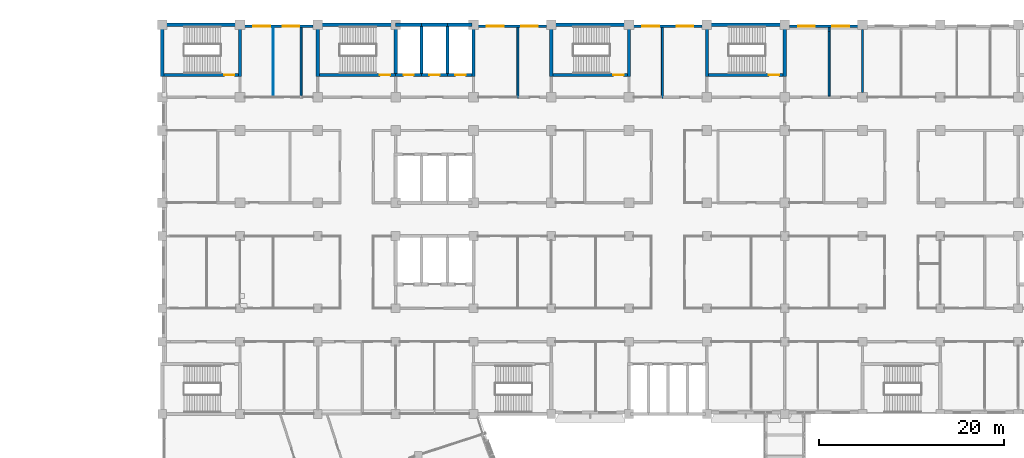
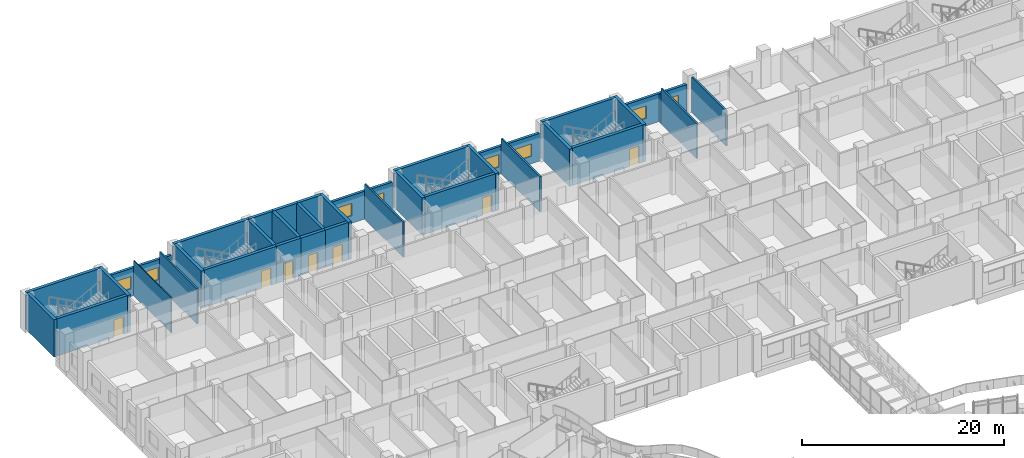
# One storey, part 90 of 136: 36 walls, 8 windows, 7 doors, 15 openings.
"""IFC4 building model written with IfcOpenShell, lengths in metres."""

from ifc_helpers import new_model, si_unit, direction, frame, frame_2d, origin, place, context, subcontext, project, spatial, rectangle, extrude, material, layer, layer_set, type_object, element, fill, save


model = new_model("IFC4")

# Units and contexts
model_context = context("Model", 3, precision=1e-05, world=origin(), true_north=direction((0.0, 1.0)))
body_context = subcontext(model_context, "Body", "Model", "MODEL_VIEW")
ifc_project = project(units=[si_unit("LENGTHUNIT", "METRE"), si_unit("AREAUNIT", "SQUARE_METRE"), si_unit("VOLUMEUNIT", "CUBIC_METRE"), si_unit("PLANEANGLEUNIT", "RADIAN"), si_unit("MASSUNIT", "GRAM", prefix="KILO")], contexts=[model_context])

# Site, building, storey
site_placement = place(None, origin())
site = spatial("IfcSite", under=ifc_project, at=site_placement, CompositionType="ELEMENT")
building_placement = place(site_placement, origin())
building = spatial("IfcBuilding", under=site, at=building_placement, Name="Bougainvillea Quay General Hospital", CompositionType="ELEMENT")
storey_placement = place(building_placement, frame((0.0, 0.0, 5.39990234375)))
storey = spatial("IfcBuildingStorey", under=building, at=storey_placement, Name="L01", CompositionType="ELEMENT", Elevation=5.39990234375)

# Wall, openings, windows
ifc_material_1 = material(Name="Pale stone rainscreen cladding on insulated masonry backing, pale stone", Category="masonry")
ifc_layer_1 = layer(ifc_material_1, 0.300048828125)
ifc_layer_set_1 = layer_set([ifc_layer_1], Name="Pale stone rainscreen cladding on insulated masonry backing, pale stone")
wall_type_1 = type_object("IfcWallType", Name="External wall pale stone rainscreen 300", PredefinedType="STANDARD", material=ifc_layer_set_1)
wall_1_placement = place(storey_placement, frame((117.10009765625, 159.449951171875, 0.0), z_axis=(0.0, 0.0, 1.0), x_axis=(-1.0, 0.0, 0.0)))
wall_1 = element("IfcWall", 1, at=wall_1_placement, inside=storey, type_object=wall_type_1, Name="External wall wall/V4/L01/p0/05c", PredefinedType="STANDARD", context=body_context, shape_type="SweptSolid", body=[
    extrude(rectangle(XDim=7.400146484375, YDim=0.300048828125, at=frame_2d((3.7001953125, 0.0))), origin(), (0.0, 0.0, 1.0), 3.35009765625),
])
opening_1_placement = place(wall_1_placement, frame((0.949951171875, 0.0, 0.89990234375)))
opening_1 = element("IfcOpeningElement", 2, at=opening_1_placement, cuts=wall_1, Name="Opening W1", PredefinedType="OPENING", context=body_context, shape_type="SweptSolid", body=[
    extrude(rectangle(XDim=1.800048828125, YDim=1.5, at=frame_2d((0.89990234375, 0.75))), frame((0.0, 0.159912109375, 0.0), z_axis=(0.0, -1.0, 0.0), x_axis=(1.0, 0.0, 0.0)), (0.0, 0.0, 1.0), 0.320068359375),
])
opening_2_placement = place(wall_1_placement, frame((4.64990234375, 0.0, 0.89990234375)))
opening_2 = element("IfcOpeningElement", 3, at=opening_2_placement, cuts=wall_1, Name="Opening W1", PredefinedType="OPENING", context=body_context, shape_type="SweptSolid", body=[
    extrude(rectangle(XDim=1.800048828125, YDim=1.5, at=frame_2d((0.89990234375, 0.75))), frame((0.0, 0.159912109375, 0.0), z_axis=(0.0, -1.0, 0.0), x_axis=(1.0, 0.0, 0.0)), (0.0, 0.0, 1.0), 0.320068359375),
])
ifc_material_2 = material(Name="Aluminium window frame with low-e double glazed unit", Category="aluminium")
window_type = type_object("IfcWindowType", Name="Window W1 1800x1500", PartitioningType="DOUBLE_PANEL_VERTICAL", PredefinedType="WINDOW", material=ifc_material_2)
window_1_placement = place(opening_1_placement, origin())
window_1 = element("IfcWindow", 4, at=window_1_placement, inside=storey, type_object=window_type, Name="Window W1 1", OverallHeight=1.5, OverallWidth=1.800048828125, PartitioningType="SINGLE_PANEL", PredefinedType="WINDOW", context=body_context, shape_type="SweptSolid", body=[
    extrude(rectangle(XDim=1.800048828125, YDim=1.5, at=frame_2d((0.89990234375, 0.75))), frame((0.0, 0.030029296875, 0.0), z_axis=(0.0, -1.0, 0.0), x_axis=(1.0, 0.0, 0.0)), (0.0, 0.0, 1.0), 0.06005859375),
])
fill(opening_1, window_1)
window_2_placement = place(opening_2_placement, origin())
window_2 = element("IfcWindow", 5, at=window_2_placement, inside=storey, type_object=window_type, Name="Window W1 2", OverallHeight=1.5, OverallWidth=1.800048828125, PartitioningType="SINGLE_PANEL", PredefinedType="WINDOW", context=body_context, shape_type="SweptSolid", body=[
    extrude(rectangle(XDim=1.800048828125, YDim=1.5, at=frame_2d((0.89990234375, 0.75))), frame((0.0, 0.030029296875, 0.0), z_axis=(0.0, -1.0, 0.0), x_axis=(1.0, 0.0, 0.0)), (0.0, 0.0, 1.0), 0.06005859375),
])
fill(opening_2, window_2)

wall_2_placement = place(storey_placement, frame((100.300048828125, 159.449951171875, 0.0), z_axis=(0.0, 0.0, 1.0), x_axis=(-1.0, 0.0, 0.0)))
wall_2 = element("IfcWall", 6, at=wall_2_placement, inside=storey, type_object=wall_type_1, Name="External wall wall/V4/L01/p0/05d", PredefinedType="STANDARD", context=body_context, shape_type="SweptSolid", body=[
    extrude(rectangle(XDim=7.400146484375, YDim=0.300048828125, at=frame_2d((3.7001953125, 0.0))), origin(), (0.0, 0.0, 1.0), 3.35009765625),
])
opening_3_placement = place(wall_2_placement, frame((0.949951171875, 0.0, 0.89990234375)))
opening_3 = element("IfcOpeningElement", 7, at=opening_3_placement, cuts=wall_2, Name="Opening W1", PredefinedType="OPENING", context=body_context, shape_type="SweptSolid", body=[
    extrude(rectangle(XDim=1.800048828125, YDim=1.5, at=frame_2d((0.89990234375, 0.75))), frame((0.0, 0.159912109375, 0.0), z_axis=(0.0, -1.0, 0.0), x_axis=(1.0, 0.0, 0.0)), (0.0, 0.0, 1.0), 0.320068359375),
])
opening_4_placement = place(wall_2_placement, frame((4.64990234375, 0.0, 0.89990234375)))
opening_4 = element("IfcOpeningElement", 8, at=opening_4_placement, cuts=wall_2, Name="Opening W1", PredefinedType="OPENING", context=body_context, shape_type="SweptSolid", body=[
    extrude(rectangle(XDim=1.800048828125, YDim=1.5, at=frame_2d((0.89990234375, 0.75))), frame((0.0, 0.159912109375, 0.0), z_axis=(0.0, -1.0, 0.0), x_axis=(1.0, 0.0, 0.0)), (0.0, 0.0, 1.0), 0.320068359375),
])
window_3_placement = place(opening_3_placement, origin())
window_3 = element("IfcWindow", 9, at=window_3_placement, inside=storey, type_object=window_type, Name="Window W1 1", OverallHeight=1.5, OverallWidth=1.800048828125, PartitioningType="SINGLE_PANEL", PredefinedType="WINDOW", context=body_context, shape_type="SweptSolid", body=[
    extrude(rectangle(XDim=1.800048828125, YDim=1.5, at=frame_2d((0.89990234375, 0.75))), frame((0.0, 0.030029296875, 0.0), z_axis=(0.0, -1.0, 0.0), x_axis=(1.0, 0.0, 0.0)), (0.0, 0.0, 1.0), 0.06005859375),
])
fill(opening_3, window_3)
window_4_placement = place(opening_4_placement, origin())
window_4 = element("IfcWindow", 10, at=window_4_placement, inside=storey, type_object=window_type, Name="Window W1 2", OverallHeight=1.5, OverallWidth=1.800048828125, PartitioningType="SINGLE_PANEL", PredefinedType="WINDOW", context=body_context, shape_type="SweptSolid", body=[
    extrude(rectangle(XDim=1.800048828125, YDim=1.5, at=frame_2d((0.89990234375, 0.75))), frame((0.0, 0.030029296875, 0.0), z_axis=(0.0, -1.0, 0.0), x_axis=(1.0, 0.0, 0.0)), (0.0, 0.0, 1.0), 0.06005859375),
])
fill(opening_4, window_4)

wall_3_placement = place(storey_placement, frame((83.5, 159.449951171875, 0.0), z_axis=(0.0, 0.0, 1.0), x_axis=(-1.0, 0.0, 0.0)))
wall_3 = element("IfcWall", 11, at=wall_3_placement, inside=storey, type_object=wall_type_1, Name="External wall wall/V4/L01/p0/05e", PredefinedType="STANDARD", context=body_context, shape_type="SweptSolid", body=[
    extrude(rectangle(XDim=7.39990234375, YDim=0.300048828125, at=frame_2d((3.699951171875, 0.0))), origin(), (0.0, 0.0, 1.0), 3.35009765625),
])
opening_5_placement = place(wall_3_placement, frame((0.949951171875, 0.0, 0.89990234375)))
opening_5 = element("IfcOpeningElement", 12, at=opening_5_placement, cuts=wall_3, Name="Opening W1", PredefinedType="OPENING", context=body_context, shape_type="SweptSolid", body=[
    extrude(rectangle(XDim=1.800048828125, YDim=1.5, at=frame_2d((0.89990234375, 0.75))), frame((0.0, 0.159912109375, 0.0), z_axis=(0.0, -1.0, 0.0), x_axis=(1.0, 0.0, 0.0)), (0.0, 0.0, 1.0), 0.320068359375),
])
opening_6_placement = place(wall_3_placement, frame((4.64990234375, 0.0, 0.89990234375)))
opening_6 = element("IfcOpeningElement", 13, at=opening_6_placement, cuts=wall_3, Name="Opening W1", PredefinedType="OPENING", context=body_context, shape_type="SweptSolid", body=[
    extrude(rectangle(XDim=1.800048828125, YDim=1.5, at=frame_2d((0.89990234375, 0.75))), frame((0.0, 0.159912109375, 0.0), z_axis=(0.0, -1.0, 0.0), x_axis=(1.0, 0.0, 0.0)), (0.0, 0.0, 1.0), 0.320068359375),
])
window_5_placement = place(opening_5_placement, origin())
window_5 = element("IfcWindow", 14, at=window_5_placement, inside=storey, type_object=window_type, Name="Window W1 1", OverallHeight=1.5, OverallWidth=1.800048828125, PartitioningType="SINGLE_PANEL", PredefinedType="WINDOW", context=body_context, shape_type="SweptSolid", body=[
    extrude(rectangle(XDim=1.800048828125, YDim=1.5, at=frame_2d((0.89990234375, 0.75))), frame((0.0, 0.030029296875, 0.0), z_axis=(0.0, -1.0, 0.0), x_axis=(1.0, 0.0, 0.0)), (0.0, 0.0, 1.0), 0.06005859375),
])
fill(opening_5, window_5)
window_6_placement = place(opening_6_placement, origin())
window_6 = element("IfcWindow", 15, at=window_6_placement, inside=storey, type_object=window_type, Name="Window W1 2", OverallHeight=1.5, OverallWidth=1.800048828125, PartitioningType="SINGLE_PANEL", PredefinedType="WINDOW", context=body_context, shape_type="SweptSolid", body=[
    extrude(rectangle(XDim=1.800048828125, YDim=1.5, at=frame_2d((0.89990234375, 0.75))), frame((0.0, 0.030029296875, 0.0), z_axis=(0.0, -1.0, 0.0), x_axis=(1.0, 0.0, 0.0)), (0.0, 0.0, 1.0), 0.06005859375),
])
fill(opening_6, window_6)

wall_4_placement = place(storey_placement, frame((58.300048828125, 159.449951171875, 0.0), z_axis=(0.0, 0.0, 1.0), x_axis=(-1.0, 0.0, 0.0)))
wall_4 = element("IfcWall", 16, at=wall_4_placement, inside=storey, type_object=wall_type_1, Name="External wall wall/V4/L01/p0/09a", PredefinedType="STANDARD", context=body_context, shape_type="SweptSolid", body=[
    extrude(rectangle(XDim=7.400146484375, YDim=0.300048828125, at=frame_2d((3.7001953125, 0.0))), origin(), (0.0, 0.0, 1.0), 3.35009765625),
])
opening_7_placement = place(wall_4_placement, frame((1.5, 0.0, 0.89990234375)))
opening_7 = element("IfcOpeningElement", 17, at=opening_7_placement, cuts=wall_4, Name="Opening W1", PredefinedType="OPENING", context=body_context, shape_type="SweptSolid", body=[
    extrude(rectangle(XDim=1.800048828125, YDim=1.5, at=frame_2d((0.89990234375, 0.75))), frame((0.0, 0.159912109375, 0.0), z_axis=(0.0, -1.0, 0.0), x_axis=(1.0, 0.0, 0.0)), (0.0, 0.0, 1.0), 0.320068359375),
])
opening_8_placement = place(wall_4_placement, frame((4.64990234375, 0.0, 0.89990234375)))
opening_8 = element("IfcOpeningElement", 18, at=opening_8_placement, cuts=wall_4, Name="Opening W1", PredefinedType="OPENING", context=body_context, shape_type="SweptSolid", body=[
    extrude(rectangle(XDim=1.800048828125, YDim=1.5, at=frame_2d((0.89990234375, 0.75))), frame((0.0, 0.159912109375, 0.0), z_axis=(0.0, -1.0, 0.0), x_axis=(1.0, 0.0, 0.0)), (0.0, 0.0, 1.0), 0.320068359375),
])
window_7_placement = place(opening_7_placement, origin())
window_7 = element("IfcWindow", 19, at=window_7_placement, inside=storey, type_object=window_type, Name="Window W1 1", OverallHeight=1.5, OverallWidth=1.800048828125, PartitioningType="SINGLE_PANEL", PredefinedType="WINDOW", context=body_context, shape_type="SweptSolid", body=[
    extrude(rectangle(XDim=1.800048828125, YDim=1.5, at=frame_2d((0.89990234375, 0.75))), frame((0.0, 0.030029296875, 0.0), z_axis=(0.0, -1.0, 0.0), x_axis=(1.0, 0.0, 0.0)), (0.0, 0.0, 1.0), 0.06005859375),
])
fill(opening_7, window_7)
window_8_placement = place(opening_8_placement, origin())
window_8 = element("IfcWindow", 20, at=window_8_placement, inside=storey, type_object=window_type, Name="Window W1 2", OverallHeight=1.5, OverallWidth=1.800048828125, PartitioningType="SINGLE_PANEL", PredefinedType="WINDOW", context=body_context, shape_type="SweptSolid", body=[
    extrude(rectangle(XDim=1.800048828125, YDim=1.5, at=frame_2d((0.89990234375, 0.75))), frame((0.0, 0.030029296875, 0.0), z_axis=(0.0, -1.0, 0.0), x_axis=(1.0, 0.0, 0.0)), (0.0, 0.0, 1.0), 0.06005859375),
])
fill(opening_8, window_8)

# Walls
ifc_material_3 = material(Name="Gypsum board partition on steel studs", Category="steel")
ifc_layer_2 = layer(ifc_material_3, 0.10009765625)
ifc_layer_set_2 = layer_set([ifc_layer_2], Name="Gypsum board partition on steel studs")
wall_type_2 = type_object("IfcWallType", Name="Partition 100 Gypsum board partition", PredefinedType="PARTITIONING", material=ifc_layer_set_2)
wall_5_placement = place(storey_placement, frame((53.998046875, 151.85009765625, 0.0), z_axis=(0.0, 0.0, 1.0), x_axis=(0.0, 1.0, 0.0)))
element("IfcWall", 21, at=wall_5_placement, inside=storey, type_object=wall_type_2, Name="Partition 100 mm", PredefinedType="PARTITIONING", context=body_context, shape_type="SweptSolid", body=[
    extrude(rectangle(XDim=7.449951171875, YDim=0.10009765625, at=frame_2d((3.72509765625, 0.0))), origin(), (0.0, 0.0, 1.0), 4.25),
])
ifc_material_4 = material(Name="Fire-rated autoclaved aerated block wall, plastered")
ifc_layer_3 = layer(ifc_material_4, 0.199951171875)
ifc_layer_set_3 = layer_set([ifc_layer_3], Name="Fire-rated autoclaved aerated block wall, plastered")
wall_type_3 = type_object("IfcWallType", Name="Partition 200 Fire-rated autoclaved aerated block wall EI 120", PredefinedType="SOLIDWALL", material=ifc_layer_set_3)
wall_6_placement = place(storey_placement, frame((56.998046875, 151.89990234375, 0.0), z_axis=(0.0, 0.0, 1.0), x_axis=(0.0, 1.0, 0.0)))
element("IfcWall", 22, at=wall_6_placement, inside=storey, type_object=wall_type_3, Name="Partition 200 mm EI 120", PredefinedType="SOLIDWALL", context=body_context, shape_type="SweptSolid", body=[
    extrude(rectangle(XDim=7.400146484375, YDim=0.199951171875, at=frame_2d((3.7001953125, 0.0))), origin(), (0.0, 0.0, 1.0), 4.25),
])
ifc_layer_4 = layer(ifc_material_4, 0.199951171875)
ifc_layer_set_4 = layer_set([ifc_layer_4], Name="Fire-rated autoclaved aerated block wall, plastered")
wall_type_4 = type_object("IfcWallType", Name="Partition 200 Fire-rated autoclaved aerated block wall EI 60", PredefinedType="SOLIDWALL", material=ifc_layer_set_4)
for number, where, z_axis, x_axis, name in (
    (23, (80.39990234375, 151.699951171875, 0.0), (0.0, 0.0, 1.0), (0.0, 1.0, 0.0), "Partition 200 mm EI 60"),
    (24, (96.0, 151.699951171875, 0.0), (0.0, 0.0, 1.0), (0.0, 1.0, 0.0), "Partition 200 mm EI 60"),
):
    element("IfcWall", number, at=place(storey_placement, frame(where, z_axis=z_axis, x_axis=x_axis)), inside=storey, type_object=wall_type_4, Name=name, PredefinedType="SOLIDWALL", context=body_context, shape_type="SweptSolid", body=[
        extrude(rectangle(XDim=7.60009765625, YDim=0.199951171875, at=frame_2d((3.800048828125, 0.0))), origin(), (0.0, 0.0, 1.0), 4.25),
    ])
wall_7_placement = place(storey_placement, frame((114.0, 151.89990234375, 0.0), z_axis=(0.0, 0.0, 1.0), x_axis=(0.0, 1.0, 0.0)))
element("IfcWall", 25, at=wall_7_placement, inside=storey, type_object=wall_type_4, Name="Partition 200 mm EI 60", PredefinedType="SOLIDWALL", context=body_context, shape_type="SweptSolid", body=[
    extrude(rectangle(XDim=7.0, YDim=0.199951171875, at=frame_2d((3.5, 0.0))), origin(), (0.0, 0.0, 1.0), 4.25),
])
wall_8_placement = place(storey_placement, frame((114.0, 158.89990234375, 0.0), z_axis=(0.0, 0.0, 1.0), x_axis=(0.0, 1.0, 0.0)))
element("IfcWall", 26, at=wall_8_placement, inside=storey, type_object=wall_type_4, Name="Partition 200 mm EI 60", PredefinedType="SOLIDWALL", context=body_context, shape_type="SweptSolid", body=[
    extrude(rectangle(XDim=0.400146484375, YDim=0.199951171875, at=frame_2d((0.2001953125, 0.0))), origin(), (0.0, 0.0, 1.0), 3.330078125),
])
wall_9_placement = place(storey_placement, frame((117.60009765625, 152.300048828125, 0.0), z_axis=(0.0, 0.0, 1.0), x_axis=(0.0, 1.0, 0.0)))
element("IfcWall", 27, at=wall_9_placement, inside=storey, type_object=wall_type_4, Name="Partition 200 mm EI 60", PredefinedType="SOLIDWALL", context=body_context, shape_type="SweptSolid", body=[
    extrude(rectangle(XDim=6.800048828125, YDim=0.199951171875, at=frame_2d((3.39990234375, 0.0))), origin(), (0.0, 0.0, 1.0), 4.25),
])
ifc_material_5 = material(Name="Concrete C40", Category="concrete")
ifc_layer_5 = layer(ifc_material_5, 0.35009765625)
ifc_layer_set_5 = layer_set([ifc_layer_5], Name="Concrete C40")
wall_type_5 = type_object("IfcWallType", Name="RC SHEAR WALL 350 C40", PredefinedType="SHEAR", material=ifc_layer_set_5)
wall_10_placement = place(storey_placement, frame((41.824951171875, 159.60009765625, 0.0), z_axis=(0.0, 0.0, 1.0), x_axis=(1.0, 0.0, 0.0)))
element("IfcWall", 28, at=wall_10_placement, inside=storey, type_object=wall_type_5, Name="Shear wall L01", PredefinedType="SHEAR", context=body_context, shape_type="SweptSolid", body=[
    extrude(rectangle(XDim=8.400146484375, YDim=0.35009765625, at=frame_2d((4.2001953125, 0.0))), origin(), (0.0, 0.0, 1.0), 4.5),
])
wall_11_placement = place(storey_placement, frame((42.0, 154.02490234375, 0.0), z_axis=(0.0, 0.0, 1.0), x_axis=(0.0, 1.0, 0.0)))
element("IfcWall", 29, at=wall_11_placement, inside=storey, type_object=wall_type_5, Name="Shear wall L01", PredefinedType="SHEAR", context=body_context, shape_type="SweptSolid", body=[
    extrude(rectangle(XDim=5.400146484375, YDim=0.35009765625, at=frame_2d((2.7001953125, 0.0))), origin(), (0.0, 0.0, 1.0), 4.5),
])

# Wall, opening, door
wall_12_placement = place(storey_placement, frame((42.175048828125, 154.199951171875, 0.0), z_axis=(0.0, 0.0, 1.0), x_axis=(1.0, 0.0, 0.0)))
wall_12 = element("IfcWall", 30, at=wall_12_placement, inside=storey, type_object=wall_type_5, Name="Shear wall L01", PredefinedType="SHEAR", context=body_context, shape_type="SweptSolid", body=[
    extrude(rectangle(XDim=8.050048828125, YDim=0.35009765625, at=frame_2d((4.02490234375, 0.0))), origin(), (0.0, 0.0, 1.0), 4.5),
])
opening_9_placement = place(wall_12_placement, frame((6.52490234375, 0.0, 0.0)))
opening_9 = element("IfcOpeningElement", 31, at=opening_9_placement, cuts=wall_12, Name="Opening L01.019", PredefinedType="OPENING", context=body_context, shape_type="SweptSolid", body=[
    extrude(rectangle(XDim=1.10009765625, YDim=2.10009765625, at=frame_2d((0.550048828125, 1.050048828125))), frame((0.0, 0.18505859375, 0.0), z_axis=(0.0, -1.0, 0.0), x_axis=(1.0, 0.0, 0.0)), (0.0, 0.0, 1.0), 0.3701171875),
])
ifc_material_6 = material(Name="Steel fire door leaf in steel frame", Category="steel")
door_type_1 = type_object("IfcDoorType", Name="Steel single leaf door 1100x2100 FD60", OperationType="NOTDEFINED", PredefinedType="DOOR", material=ifc_material_6)
door_1_placement = place(opening_9_placement, origin())
door_1 = element("IfcDoor", 32, at=door_1_placement, inside=storey, type_object=door_type_1, Name="DT04 L01.019", OperationType="SINGLE_SWING_RIGHT", OverallHeight=2.10009765625, OverallWidth=1.10009765625, PredefinedType="DOOR", context=body_context, shape_type="SweptSolid", body=[
    extrude(rectangle(XDim=1.10009765625, YDim=2.10009765625, at=frame_2d((0.550048828125, 1.050048828125))), frame((0.0, 0.02490234375, 0.0), z_axis=(0.0, -1.0, 0.0), x_axis=(1.0, 0.0, 0.0)), (0.0, 0.0, 1.0), 0.050048828125),
])
fill(opening_9, door_1)

# Walls
wall_13_placement = place(storey_placement, frame((50.39990234375, 154.02490234375, 0.0), z_axis=(0.0, 0.0, 1.0), x_axis=(0.0, 1.0, 0.0)))
element("IfcWall", 33, at=wall_13_placement, inside=storey, type_object=wall_type_5, Name="Shear wall L01", PredefinedType="SHEAR", context=body_context, shape_type="SweptSolid", body=[
    extrude(rectangle(XDim=5.75, YDim=0.35009765625, at=frame_2d((2.875, 0.0))), origin(), (0.0, 0.0, 1.0), 4.5),
])
wall_14_placement = place(storey_placement, frame((58.625, 159.60009765625, 0.0), z_axis=(0.0, 0.0, 1.0), x_axis=(1.0, 0.0, 0.0)))
element("IfcWall", 34, at=wall_14_placement, inside=storey, type_object=wall_type_5, Name="Shear wall L01", PredefinedType="SHEAR", context=body_context, shape_type="SweptSolid", body=[
    extrude(rectangle(XDim=8.574951171875, YDim=0.35009765625, at=frame_2d((4.28759765625, 0.0))), origin(), (0.0, 0.0, 1.0), 4.5),
])
wall_15_placement = place(storey_placement, frame((58.800048828125, 154.02490234375, 0.0), z_axis=(0.0, 0.0, 1.0), x_axis=(0.0, 1.0, 0.0)))
element("IfcWall", 35, at=wall_15_placement, inside=storey, type_object=wall_type_5, Name="Shear wall L01", PredefinedType="SHEAR", context=body_context, shape_type="SweptSolid", body=[
    extrude(rectangle(XDim=5.400146484375, YDim=0.35009765625, at=frame_2d((2.7001953125, 0.0))), origin(), (0.0, 0.0, 1.0), 4.5),
])

# Wall, opening, door
wall_16_placement = place(storey_placement, frame((58.97509765625, 154.199951171875, 0.0), z_axis=(0.0, 0.0, 1.0), x_axis=(1.0, 0.0, 0.0)))
wall_16 = element("IfcWall", 36, at=wall_16_placement, inside=storey, type_object=wall_type_5, Name="Shear wall L01", PredefinedType="SHEAR", context=body_context, shape_type="SweptSolid", body=[
    extrude(rectangle(XDim=8.224853515625, YDim=0.35009765625, at=frame_2d((4.1123046875, 0.0))), origin(), (0.0, 0.0, 1.0), 4.5),
])
opening_10_placement = place(wall_16_placement, frame((6.52490234375, 0.0, 0.0)))
opening_10 = element("IfcOpeningElement", 37, at=opening_10_placement, cuts=wall_16, Name="Opening L01.027", PredefinedType="OPENING", context=body_context, shape_type="SweptSolid", body=[
    extrude(rectangle(XDim=1.10009765625, YDim=2.10009765625, at=frame_2d((0.550048828125, 1.050048828125))), frame((0.0, 0.18505859375, 0.0), z_axis=(0.0, -1.0, 0.0), x_axis=(1.0, 0.0, 0.0)), (0.0, 0.0, 1.0), 0.3701171875),
])
door_2_placement = place(opening_10_placement, origin())
door_2 = element("IfcDoor", 38, at=door_2_placement, inside=storey, type_object=door_type_1, Name="DT04 L01.027", OperationType="SINGLE_SWING_RIGHT", OverallHeight=2.10009765625, OverallWidth=1.10009765625, PredefinedType="DOOR", context=body_context, shape_type="SweptSolid", body=[
    extrude(rectangle(XDim=1.10009765625, YDim=2.10009765625, at=frame_2d((0.550048828125, 1.050048828125))), frame((0.0, 0.02490234375, 0.0), z_axis=(0.0, -1.0, 0.0), x_axis=(1.0, 0.0, 0.0)), (0.0, 0.0, 1.0), 0.050048828125),
])
fill(opening_10, door_2)

wall_17_placement = place(storey_placement, frame((67.199951171875, 154.199951171875, 0.0), z_axis=(0.0, 0.0, 1.0), x_axis=(1.0, 0.0, 0.0)))
wall_17 = element("IfcWall", 39, at=wall_17_placement, inside=storey, type_object=wall_type_5, Name="Shear wall L01", PredefinedType="SHEAR", context=body_context, shape_type="SweptSolid", body=[
    extrude(rectangle(XDim=2.800048828125, YDim=0.35009765625, at=frame_2d((1.39990234375, 0.0))), origin(), (0.0, 0.0, 1.0), 4.5),
])
opening_11_placement = place(wall_17_placement, frame((0.85009765625, 0.0, 0.0)))
opening_11 = element("IfcOpeningElement", 40, at=opening_11_placement, cuts=wall_17, Name="Opening LD-G1.1-L01", PredefinedType="OPENING", context=body_context, shape_type="SweptSolid", body=[
    extrude(rectangle(XDim=1.10009765625, YDim=2.10009765625, at=frame_2d((0.550048828125, 1.050048828125))), frame((0.0, 0.18505859375, 0.0), z_axis=(0.0, -1.0, 0.0), x_axis=(1.0, 0.0, 0.0)), (0.0, 0.0, 1.0), 0.3701171875),
])
ifc_material_7 = material(Name="Stainless steel centre-opening landing door", Category="steel")
door_type_2 = type_object("IfcDoorType", Name="Lift landing door 1100x2100 E 120", OperationType="DOUBLE_DOOR_SLIDING", PredefinedType="DOOR", material=ifc_material_7)
door_3_placement = place(opening_11_placement, origin())
door_3 = element("IfcDoor", 41, at=door_3_placement, inside=storey, type_object=door_type_2, Name="Lift landing door LB-G1-1 L01", OperationType="DOUBLE_DOOR_SLIDING", OverallHeight=2.10009765625, OverallWidth=1.10009765625, PredefinedType="DOOR", context=body_context, shape_type="SweptSolid", body=[
    extrude(rectangle(XDim=1.10009765625, YDim=2.10009765625, at=frame_2d((0.550048828125, 1.050048828125))), frame((0.0, 0.02490234375, 0.0), z_axis=(0.0, -1.0, 0.0), x_axis=(1.0, 0.0, 0.0)), (0.0, 0.0, 1.0), 0.050048828125),
])
fill(opening_11, door_3)

# Walls
wall_18_placement = place(storey_placement, frame((67.199951171875, 154.375, 0.0), z_axis=(0.0, 0.0, 1.0), x_axis=(0.0, 1.0, 0.0)))
element("IfcWall", 42, at=wall_18_placement, inside=storey, type_object=wall_type_5, Name="Shear wall L01", PredefinedType="SHEAR", context=body_context, shape_type="SweptSolid", body=[
    extrude(rectangle(XDim=5.050048828125, YDim=0.35009765625, at=frame_2d((2.52490234375, 0.0))), origin(), (0.0, 0.0, 1.0), 4.5),
])
wall_19_placement = place(storey_placement, frame((67.199951171875, 159.60009765625, 0.0), z_axis=(0.0, 0.0, 1.0), x_axis=(1.0, 0.0, 0.0)))
element("IfcWall", 43, at=wall_19_placement, inside=storey, type_object=wall_type_5, Name="Shear wall L01", PredefinedType="SHEAR", context=body_context, shape_type="SweptSolid", body=[
    extrude(rectangle(XDim=2.800048828125, YDim=0.35009765625, at=frame_2d((1.39990234375, 0.0))), origin(), (0.0, 0.0, 1.0), 4.5),
])

# Wall, opening, door
wall_20_placement = place(storey_placement, frame((70.0, 154.199951171875, 0.0), z_axis=(0.0, 0.0, 1.0), x_axis=(1.0, 0.0, 0.0)))
wall_20 = element("IfcWall", 44, at=wall_20_placement, inside=storey, type_object=wall_type_5, Name="Shear wall L01", PredefinedType="SHEAR", context=body_context, shape_type="SweptSolid", body=[
    extrude(rectangle(XDim=2.800048828125, YDim=0.35009765625, at=frame_2d((1.39990234375, 0.0))), origin(), (0.0, 0.0, 1.0), 4.5),
])
opening_12_placement = place(wall_20_placement, frame((0.85009765625, 0.0, 0.0)))
opening_12 = element("IfcOpeningElement", 45, at=opening_12_placement, cuts=wall_20, Name="Opening LD-G1.2-L01", PredefinedType="OPENING", context=body_context, shape_type="SweptSolid", body=[
    extrude(rectangle(XDim=1.10009765625, YDim=2.10009765625, at=frame_2d((0.550048828125, 1.050048828125))), frame((0.0, 0.18505859375, 0.0), z_axis=(0.0, -1.0, 0.0), x_axis=(1.0, 0.0, 0.0)), (0.0, 0.0, 1.0), 0.3701171875),
])
door_4_placement = place(opening_12_placement, origin())
door_4 = element("IfcDoor", 46, at=door_4_placement, inside=storey, type_object=door_type_2, Name="Lift landing door LB-G1-2 L01", OperationType="DOUBLE_DOOR_SLIDING", OverallHeight=2.10009765625, OverallWidth=1.10009765625, PredefinedType="DOOR", context=body_context, shape_type="SweptSolid", body=[
    extrude(rectangle(XDim=1.10009765625, YDim=2.10009765625, at=frame_2d((0.550048828125, 1.050048828125))), frame((0.0, 0.02490234375, 0.0), z_axis=(0.0, -1.0, 0.0), x_axis=(1.0, 0.0, 0.0)), (0.0, 0.0, 1.0), 0.050048828125),
])
fill(opening_12, door_4)

# Walls
wall_21_placement = place(storey_placement, frame((70.0, 154.375, 0.0), z_axis=(0.0, 0.0, 1.0), x_axis=(0.0, 1.0, 0.0)))
element("IfcWall", 47, at=wall_21_placement, inside=storey, type_object=wall_type_5, Name="Shear wall L01", PredefinedType="SHEAR", context=body_context, shape_type="SweptSolid", body=[
    extrude(rectangle(XDim=5.050048828125, YDim=0.35009765625, at=frame_2d((2.52490234375, 0.0))), origin(), (0.0, 0.0, 1.0), 4.5),
])
wall_22_placement = place(storey_placement, frame((70.0, 159.60009765625, 0.0), z_axis=(0.0, 0.0, 1.0), x_axis=(1.0, 0.0, 0.0)))
element("IfcWall", 48, at=wall_22_placement, inside=storey, type_object=wall_type_5, Name="Shear wall L01", PredefinedType="SHEAR", context=body_context, shape_type="SweptSolid", body=[
    extrude(rectangle(XDim=2.800048828125, YDim=0.35009765625, at=frame_2d((1.39990234375, 0.0))), origin(), (0.0, 0.0, 1.0), 4.5),
])

# Wall, opening, door
wall_23_placement = place(storey_placement, frame((72.800048828125, 154.199951171875, 0.0), z_axis=(0.0, 0.0, 1.0), x_axis=(1.0, 0.0, 0.0)))
wall_23 = element("IfcWall", 49, at=wall_23_placement, inside=storey, type_object=wall_type_5, Name="Shear wall L01", PredefinedType="SHEAR", context=body_context, shape_type="SweptSolid", body=[
    extrude(rectangle(XDim=2.625, YDim=0.35009765625, at=frame_2d((1.3125, 0.0))), origin(), (0.0, 0.0, 1.0), 4.5),
])
opening_13_placement = place(wall_23_placement, frame((0.85009765625, 0.0, 0.0)))
opening_13 = element("IfcOpeningElement", 50, at=opening_13_placement, cuts=wall_23, Name="Opening LD-G1.3-L01", PredefinedType="OPENING", context=body_context, shape_type="SweptSolid", body=[
    extrude(rectangle(XDim=1.10009765625, YDim=2.10009765625, at=frame_2d((0.550048828125, 1.050048828125))), frame((0.0, 0.18505859375, 0.0), z_axis=(0.0, -1.0, 0.0), x_axis=(1.0, 0.0, 0.0)), (0.0, 0.0, 1.0), 0.3701171875),
])
door_5_placement = place(opening_13_placement, origin())
door_5 = element("IfcDoor", 51, at=door_5_placement, inside=storey, type_object=door_type_2, Name="Lift landing door LB-G1-3 L01", OperationType="DOUBLE_DOOR_SLIDING", OverallHeight=2.10009765625, OverallWidth=1.10009765625, PredefinedType="DOOR", context=body_context, shape_type="SweptSolid", body=[
    extrude(rectangle(XDim=1.10009765625, YDim=2.10009765625, at=frame_2d((0.550048828125, 1.050048828125))), frame((0.0, 0.02490234375, 0.0), z_axis=(0.0, -1.0, 0.0), x_axis=(1.0, 0.0, 0.0)), (0.0, 0.0, 1.0), 0.050048828125),
])
fill(opening_13, door_5)

# Walls
wall_24_placement = place(storey_placement, frame((72.800048828125, 154.375, 0.0), z_axis=(0.0, 0.0, 1.0), x_axis=(0.0, 1.0, 0.0)))
element("IfcWall", 52, at=wall_24_placement, inside=storey, type_object=wall_type_5, Name="Shear wall L01", PredefinedType="SHEAR", context=body_context, shape_type="SweptSolid", body=[
    extrude(rectangle(XDim=5.050048828125, YDim=0.35009765625, at=frame_2d((2.52490234375, 0.0))), origin(), (0.0, 0.0, 1.0), 4.5),
])
wall_25_placement = place(storey_placement, frame((72.800048828125, 159.60009765625, 0.0), z_axis=(0.0, 0.0, 1.0), x_axis=(1.0, 0.0, 0.0)))
element("IfcWall", 53, at=wall_25_placement, inside=storey, type_object=wall_type_5, Name="Shear wall L01", PredefinedType="SHEAR", context=body_context, shape_type="SweptSolid", body=[
    extrude(rectangle(XDim=2.625, YDim=0.35009765625, at=frame_2d((1.3125, 0.0))), origin(), (0.0, 0.0, 1.0), 4.5),
])
wall_26_placement = place(storey_placement, frame((75.60009765625, 154.02490234375, 0.0), z_axis=(0.0, 0.0, 1.0), x_axis=(0.0, 1.0, 0.0)))
element("IfcWall", 54, at=wall_26_placement, inside=storey, type_object=wall_type_5, Name="Shear wall L01", PredefinedType="SHEAR", context=body_context, shape_type="SweptSolid", body=[
    extrude(rectangle(XDim=5.75, YDim=0.35009765625, at=frame_2d((2.875, 0.0))), origin(), (0.0, 0.0, 1.0), 4.5),
])
wall_27_placement = place(storey_placement, frame((83.824951171875, 159.60009765625, 0.0), z_axis=(0.0, 0.0, 1.0), x_axis=(1.0, 0.0, 0.0)))
element("IfcWall", 55, at=wall_27_placement, inside=storey, type_object=wall_type_5, Name="Shear wall L01", PredefinedType="SHEAR", context=body_context, shape_type="SweptSolid", body=[
    extrude(rectangle(XDim=8.400146484375, YDim=0.35009765625, at=frame_2d((4.2001953125, 0.0))), origin(), (0.0, 0.0, 1.0), 4.5),
])
wall_28_placement = place(storey_placement, frame((84.0, 154.02490234375, 0.0), z_axis=(0.0, 0.0, 1.0), x_axis=(0.0, 1.0, 0.0)))
element("IfcWall", 56, at=wall_28_placement, inside=storey, type_object=wall_type_5, Name="Shear wall L01", PredefinedType="SHEAR", context=body_context, shape_type="SweptSolid", body=[
    extrude(rectangle(XDim=5.400146484375, YDim=0.35009765625, at=frame_2d((2.7001953125, 0.0))), origin(), (0.0, 0.0, 1.0), 4.5),
])

# Wall, opening, door
wall_29_placement = place(storey_placement, frame((84.175048828125, 154.199951171875, 0.0), z_axis=(0.0, 0.0, 1.0), x_axis=(1.0, 0.0, 0.0)))
wall_29 = element("IfcWall", 57, at=wall_29_placement, inside=storey, type_object=wall_type_5, Name="Shear wall L01", PredefinedType="SHEAR", context=body_context, shape_type="SweptSolid", body=[
    extrude(rectangle(XDim=8.050048828125, YDim=0.35009765625, at=frame_2d((4.02490234375, 0.0))), origin(), (0.0, 0.0, 1.0), 4.5),
])
opening_14_placement = place(wall_29_placement, frame((6.52490234375, 0.0, 0.0)))
opening_14 = element("IfcOpeningElement", 58, at=opening_14_placement, cuts=wall_29, Name="Opening L01.020", PredefinedType="OPENING", context=body_context, shape_type="SweptSolid", body=[
    extrude(rectangle(XDim=1.10009765625, YDim=2.10009765625, at=frame_2d((0.550048828125, 1.050048828125))), frame((0.0, 0.18505859375, 0.0), z_axis=(0.0, -1.0, 0.0), x_axis=(1.0, 0.0, 0.0)), (0.0, 0.0, 1.0), 0.3701171875),
])
door_6_placement = place(opening_14_placement, origin())
door_6 = element("IfcDoor", 59, at=door_6_placement, inside=storey, type_object=door_type_1, Name="DT04 L01.020", OperationType="SINGLE_SWING_RIGHT", OverallHeight=2.10009765625, OverallWidth=1.10009765625, PredefinedType="DOOR", context=body_context, shape_type="SweptSolid", body=[
    extrude(rectangle(XDim=1.10009765625, YDim=2.10009765625, at=frame_2d((0.550048828125, 1.050048828125))), frame((0.0, 0.02490234375, 0.0), z_axis=(0.0, -1.0, 0.0), x_axis=(1.0, 0.0, 0.0)), (0.0, 0.0, 1.0), 0.050048828125),
])
fill(opening_14, door_6)

# Walls
wall_30_placement = place(storey_placement, frame((92.39990234375, 154.02490234375, 0.0), z_axis=(0.0, 0.0, 1.0), x_axis=(0.0, 1.0, 0.0)))
element("IfcWall", 60, at=wall_30_placement, inside=storey, type_object=wall_type_5, Name="Shear wall L01", PredefinedType="SHEAR", context=body_context, shape_type="SweptSolid", body=[
    extrude(rectangle(XDim=5.75, YDim=0.35009765625, at=frame_2d((2.875, 0.0))), origin(), (0.0, 0.0, 1.0), 4.5),
])
wall_31_placement = place(storey_placement, frame((100.625, 159.60009765625, 0.0), z_axis=(0.0, 0.0, 1.0), x_axis=(1.0, 0.0, 0.0)))
element("IfcWall", 61, at=wall_31_placement, inside=storey, type_object=wall_type_5, Name="Shear wall L01", PredefinedType="SHEAR", context=body_context, shape_type="SweptSolid", body=[
    extrude(rectangle(XDim=8.39990234375, YDim=0.35009765625, at=frame_2d((4.199951171875, 0.0))), origin(), (0.0, 0.0, 1.0), 4.5),
])
wall_32_placement = place(storey_placement, frame((100.800048828125, 154.02490234375, 0.0), z_axis=(0.0, 0.0, 1.0), x_axis=(0.0, 1.0, 0.0)))
element("IfcWall", 62, at=wall_32_placement, inside=storey, type_object=wall_type_5, Name="Shear wall L01", PredefinedType="SHEAR", context=body_context, shape_type="SweptSolid", body=[
    extrude(rectangle(XDim=5.400146484375, YDim=0.35009765625, at=frame_2d((2.7001953125, 0.0))), origin(), (0.0, 0.0, 1.0), 4.5),
])

# Wall, opening, door
wall_33_placement = place(storey_placement, frame((100.97509765625, 154.199951171875, 0.0), z_axis=(0.0, 0.0, 1.0), x_axis=(1.0, 0.0, 0.0)))
wall_33 = element("IfcWall", 63, at=wall_33_placement, inside=storey, type_object=wall_type_5, Name="Shear wall L01", PredefinedType="SHEAR", context=body_context, shape_type="SweptSolid", body=[
    extrude(rectangle(XDim=8.0498046875, YDim=0.35009765625, at=frame_2d((4.02490234375, 0.0))), origin(), (0.0, 0.0, 1.0), 4.5),
])
opening_15_placement = place(wall_33_placement, frame((6.52490234375, 0.0, 0.0)))
opening_15 = element("IfcOpeningElement", 64, at=opening_15_placement, cuts=wall_33, Name="Opening L01.028", PredefinedType="OPENING", context=body_context, shape_type="SweptSolid", body=[
    extrude(rectangle(XDim=1.10009765625, YDim=2.10009765625, at=frame_2d((0.550048828125, 1.050048828125))), frame((0.0, 0.18505859375, 0.0), z_axis=(0.0, -1.0, 0.0), x_axis=(1.0, 0.0, 0.0)), (0.0, 0.0, 1.0), 0.3701171875),
])
door_7_placement = place(opening_15_placement, origin())
door_7 = element("IfcDoor", 65, at=door_7_placement, inside=storey, type_object=door_type_1, Name="DT04 L01.028", OperationType="SINGLE_SWING_RIGHT", OverallHeight=2.10009765625, OverallWidth=1.10009765625, PredefinedType="DOOR", context=body_context, shape_type="SweptSolid", body=[
    extrude(rectangle(XDim=1.10009765625, YDim=2.10009765625, at=frame_2d((0.550048828125, 1.050048828125))), frame((0.0, 0.02490234375, 0.0), z_axis=(0.0, -1.0, 0.0), x_axis=(1.0, 0.0, 0.0)), (0.0, 0.0, 1.0), 0.050048828125),
])
fill(opening_15, door_7)

# Wall
wall_34_placement = place(storey_placement, frame((109.199951171875, 154.02490234375, 0.0), z_axis=(0.0, 0.0, 1.0), x_axis=(0.0, 1.0, 0.0)))
element("IfcWall", 66, at=wall_34_placement, inside=storey, type_object=wall_type_5, Name="Shear wall L01", PredefinedType="SHEAR", context=body_context, shape_type="SweptSolid", body=[
    extrude(rectangle(XDim=5.75, YDim=0.35009765625, at=frame_2d((2.875, 0.0))), origin(), (0.0, 0.0, 1.0), 4.5),
])

save(model, "model.ifc")
